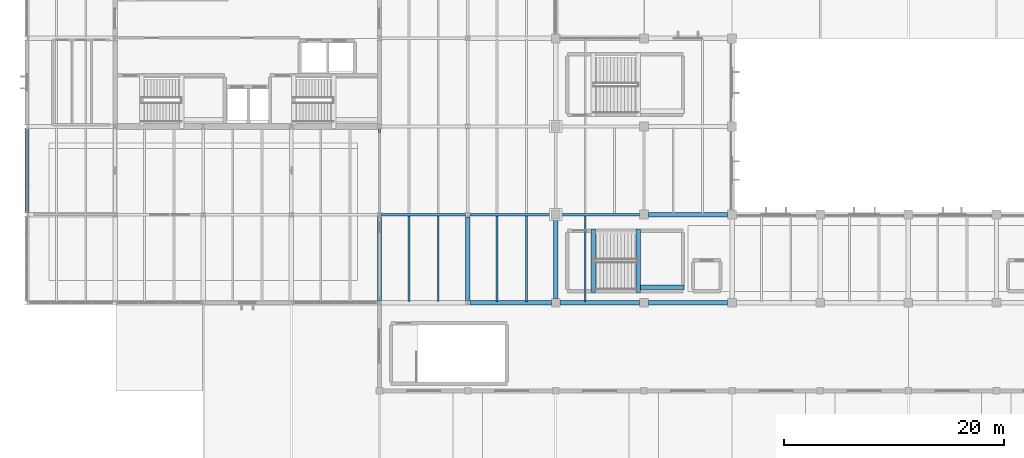
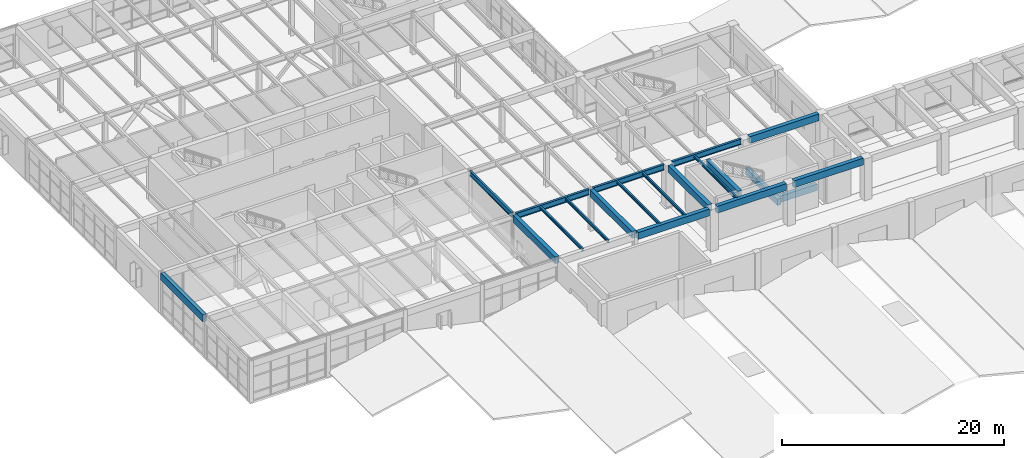
# One storey, part 12 of 60: 20 beams.
"""IFC4 building model written with IfcOpenShell, lengths in metres."""

from ifc_helpers import new_model, si_unit, direction, frame, origin, origin_2d, place, context, subcontext, project, spatial, rectangle, i_section, extrude, material, material_profile, profile_set, type_object, element, save


model = new_model("IFC4")

# Units and contexts
model_context = context("Model", 3, precision=1e-05, world=origin(), true_north=direction((0.0, 1.0)))
body_context = subcontext(model_context, "Body", "Model", "MODEL_VIEW")
ifc_project = project(units=[si_unit("LENGTHUNIT", "METRE"), si_unit("AREAUNIT", "SQUARE_METRE"), si_unit("VOLUMEUNIT", "CUBIC_METRE"), si_unit("PLANEANGLEUNIT", "RADIAN"), si_unit("MASSUNIT", "GRAM", prefix="KILO")], contexts=[model_context])

# Site, building, storey
site_placement = place(None, origin())
site = spatial("IfcSite", under=ifc_project, at=site_placement, CompositionType="ELEMENT")
building_placement = place(site_placement, origin())
building = spatial("IfcBuilding", under=site, at=building_placement, Name="Varnela Railside Interchange", CompositionType="ELEMENT")
storey_placement = place(building_placement, frame((0.0, 0.0, 6.300048828125)))
storey = spatial("IfcBuildingStorey", under=building, at=storey_placement, Name="L01", CompositionType="ELEMENT", Elevation=6.300048828125)

# Beams
ifc_material_1 = material(Name="Steel AR 350 (350 MPa)", Category="steel")
ifc_material_profile_1 = material_profile(ifc_material_1, i_section(OverallWidth=0.1650390625, OverallDepth=0.31005859375, WebThickness=0.005859375, FlangeThickness=0.009765625, at=origin_2d()), Name="W310x38.7")
ifc_profile_set_1 = profile_set([ifc_material_profile_1], Name="Steel AR 350 (350 MPa)")
beam_type_1 = type_object("IfcBeamType", Name="Composite Floor Joist J-04", PredefinedType="JOIST", material=ifc_profile_set_1)
for number, where, z_axis, x_axis, name in (
    (1, (38.669921875, 38.114501953125, 4.445068359375), (0.0, 1.0, 0.0), (-1.0, 0.0, 0.0), "Composite Floor Joist J-04 (L01) (BM-1568)"),
    (2, (41.330078125, 38.114501953125, 4.445068359375), (0.0, 1.0, 0.0), (-1.0, 0.0, 0.0), "Composite Floor Joist J-04 (L01) (BM-1569)"),
    (3, (46.669921875, 38.114501953125, 4.445068359375), (0.0, 1.0, 0.0), (-1.0, 0.0, 0.0), "Composite Floor Joist J-04 (L01) (BM-1581)"),
    (4, (49.330078125, 38.114501953125, 4.445068359375), (0.0, 1.0, 0.0), (-1.0, 0.0, 0.0), "Composite Floor Joist J-04 (L01) (BM-1582)"),
    (5, (54.669921875, 38.114501953125, 4.445068359375), (0.0, 1.0, 0.0), (-1.0, 0.0, 0.0), "Composite Floor Joist J-04 (L01) (BM-1592)"),
):
    element("IfcBeam", number, at=place(storey_placement, frame(where, z_axis=z_axis, x_axis=x_axis)), inside=storey, type_object=beam_type_1, Name=name, PredefinedType="JOIST", context=body_context, shape_type="SweptSolid", body=[
        extrude(i_section(OverallWidth=0.1650390625, OverallDepth=0.31005859375, WebThickness=0.005859375, FlangeThickness=0.009765625, at=origin_2d()), origin(), (0.0, 0.0, 1.0), 7.77099609375),
    ])
ifc_material_profile_2 = material_profile(ifc_material_1, i_section(OverallWidth=0.2119140625, OverallDepth=0.5439453125, WebThickness=0.01318359375, FlangeThickness=0.021240234375, at=origin_2d()), Name="W530x123")
ifc_profile_set_2 = profile_set([ifc_material_profile_2], Name="Steel AR 350 (350 MPa)")
beam_type_2 = type_object("IfcBeamType", Name="Composite Heavy Girder B-16", PredefinedType="BEAM", material=ifc_profile_set_2)
beam_1_placement = place(storey_placement, frame((36.0, 46.193603515625, 4.327880859375), z_axis=(0.0, 1.0, 0.0), x_axis=(-1.0, 0.0, 0.0)))
element("IfcBeam", 6, at=beam_1_placement, inside=storey, type_object=beam_type_2, Name="Composite Heavy Girder B-16 (L01) (BM-1766)", PredefinedType="BEAM", context=body_context, shape_type="SweptSolid", body=[
    extrude(i_section(OverallWidth=0.2119140625, OverallDepth=0.5439453125, WebThickness=0.01318359375, FlangeThickness=0.021240234375, at=origin_2d()), origin(), (0.0, 0.0, 1.0), 7.60693359375),
])
ifc_material_2 = material(Name="Concrete C40", Category="concrete")
ifc_material_profile_3 = material_profile(ifc_material_2, rectangle(XDim=0.39990234375, YDim=0.699951171875, at=origin_2d()), Name="RC 400x700")
ifc_profile_set_3 = profile_set([ifc_material_profile_3], Name="Concrete C40")
beam_type_3 = type_object("IfcBeamType", Name="Concrete Tie Beam B-01", PredefinedType="BEAM", material=ifc_profile_set_3)
for number, where, z_axis, x_axis, name in (
    (7, (55.39990234375, 38.919921875, 4.25), (0.0, 1.0, 0.0), (-1.0, 0.0, 0.0), "Concrete Tie Beam B-01 (L01) (BM-1814)"),
    (8, (59.4951171875, 38.919921875, 1.93994140625), (0.0, 1.0, 0.0), (-1.0, 0.0, 0.0), "Concrete Tie Beam B-01 (L01) (BM-1803)"),
):
    element("IfcBeam", number, at=place(storey_placement, frame(where, z_axis=z_axis, x_axis=x_axis)), inside=storey, type_object=beam_type_3, Name=name, PredefinedType="BEAM", context=body_context, shape_type="SweptSolid", body=[
        extrude(rectangle(XDim=0.39990234375, YDim=0.699951171875, at=origin_2d()), origin(), (0.0, 0.0, 1.0), 5.760009765625),
    ])
beam_2_placement = place(storey_placement, frame((59.695068359375, 39.39990234375, 1.93994140625), z_axis=(1.0, 0.0, 0.0), x_axis=(0.0, 1.0, 0.0)))
element("IfcBeam", 9, at=beam_2_placement, inside=storey, type_object=beam_type_3, Name="Concrete Tie Beam B-01 (L01) (BM-1792)", PredefinedType="BEAM", context=body_context, shape_type="SweptSolid", body=[
    extrude(rectangle(XDim=0.39990234375, YDim=0.699951171875, at=origin_2d()), origin(), (0.0, 0.0, 1.0), 3.925048828125),
])
ifc_material_profile_4 = material_profile(ifc_material_1, i_section(OverallWidth=0.22900390625, OverallDepth=0.612060546875, WebThickness=0.011962890625, FlangeThickness=0.01953125, at=origin_2d()), Name="W610x125")
ifc_profile_set_4 = profile_set([ifc_material_profile_4], Name="Steel AR 350 (350 MPa)")
beam_type_4 = type_object("IfcBeamType", Name="Podium Composite Girder B-15", PredefinedType="BEAM", material=ifc_profile_set_4)
beam_3_placement = place(storey_placement, frame((36.198974609375, 46.0, 4.2939453125), z_axis=(1.0, 0.0, 0.0), x_axis=(0.0, 1.0, 0.0)))
element("IfcBeam", 10, at=beam_3_placement, inside=storey, type_object=beam_type_4, Name="Podium Composite Girder B-15 (L01) (BM-1634)", PredefinedType="BEAM", context=body_context, shape_type="SweptSolid", body=[
    extrude(i_section(OverallWidth=0.22900390625, OverallDepth=0.612060546875, WebThickness=0.011962890625, FlangeThickness=0.01953125, at=origin_2d()), origin(), (0.0, 0.0, 1.0), 7.60205078125),
])
beam_4_placement = place(storey_placement, frame((44.198974609375, 46.0, 4.2939453125), z_axis=(1.0, 0.0, 0.0), x_axis=(0.0, 1.0, 0.0)))
element("IfcBeam", 11, at=beam_4_placement, inside=storey, type_object=beam_type_4, Name="Podium Composite Girder B-15 (L01) (BM-1635)", PredefinedType="BEAM", context=body_context, shape_type="SweptSolid", body=[
    extrude(i_section(OverallWidth=0.22900390625, OverallDepth=0.612060546875, WebThickness=0.011962890625, FlangeThickness=0.01953125, at=origin_2d()), origin(), (0.0, 0.0, 1.0), 7.401123046875),
])
beam_5_placement = place(storey_placement, frame((52.39990234375, 46.0, 4.2939453125), z_axis=(1.0, 0.0, 0.0), x_axis=(0.0, 1.0, 0.0)))
element("IfcBeam", 12, at=beam_5_placement, inside=storey, type_object=beam_type_4, Name="Podium Composite Girder B-15 (L01) (BM-1637)", PredefinedType="BEAM", context=body_context, shape_type="SweptSolid", body=[
    extrude(i_section(OverallWidth=0.22900390625, OverallDepth=0.612060546875, WebThickness=0.011962890625, FlangeThickness=0.01953125, at=origin_2d()), origin(), (0.0, 0.0, 1.0), 7.2001953125),
])
ifc_material_3 = material(Name="Concrete C40 precast", Category="concrete")
ifc_material_profile_5 = material_profile(ifc_material_3, rectangle(XDim=0.39990234375, YDim=0.75, at=origin_2d()), Name="PC 400x750")
ifc_profile_set_5 = profile_set([ifc_material_profile_5], Name="Concrete C40 precast")
beam_type_5 = type_object("IfcBeamType", Name="Precast Facade Spandrel SP-03", PredefinedType="SPANDREL", material=ifc_profile_set_5)
beam_6_placement = place(storey_placement, frame((44.198974609375, 38.0, 4.224853515625), z_axis=(1.0, 0.0, 0.0), x_axis=(0.0, 1.0, 0.0)))
element("IfcBeam", 13, at=beam_6_placement, inside=storey, type_object=beam_type_5, Name="Precast Facade Spandrel SP-03 (L01) (BM-1615)", PredefinedType="SPANDREL", context=body_context, shape_type="SweptSolid", body=[
    extrude(rectangle(XDim=0.39990234375, YDim=0.75, at=origin_2d()), origin(), (0.0, 0.0, 1.0), 7.401123046875),
])
for number, where, z_axis, x_axis, name in (
    (14, (52.39990234375, 38.0, 4.224853515625), (1.0, 0.0, 0.0), (0.0, 1.0, 0.0), "Precast Facade Spandrel SP-03 (L01) (BM-1617)"),
    (15, (60.39990234375, 38.0, 4.224853515625), (1.0, 0.0, 0.0), (0.0, 1.0, 0.0), "Precast Facade Spandrel SP-03 (L01) (BM-1618)"),
    (16, (60.39990234375, 46.0, 4.224853515625), (1.0, 0.0, 0.0), (0.0, 1.0, 0.0), "Precast Facade Spandrel SP-03 (L01) (BM-1638)"),
):
    element("IfcBeam", number, at=place(storey_placement, frame(where, z_axis=z_axis, x_axis=x_axis)), inside=storey, type_object=beam_type_5, Name=name, PredefinedType="SPANDREL", context=body_context, shape_type="SweptSolid", body=[
        extrude(rectangle(XDim=0.39990234375, YDim=0.75, at=origin_2d()), origin(), (0.0, 0.0, 1.0), 7.2001953125),
    ])
for number, where, z_axis, x_axis, name in (
    (17, (4.0, 46.193603515625, 4.224853515625), (0.0, 1.0, 0.0), (-1.0, 0.0, 0.0), "Precast Facade Spandrel SP-03 (L01) (BM-1739)"),
    (18, (36.0, 38.193603515625, 4.224853515625), (0.0, 1.0, 0.0), (-1.0, 0.0, 0.0), "Precast Facade Spandrel SP-03 (L01) (BM-1765)"),
    (19, (44.0, 38.193603515625, 4.224853515625), (0.0, 1.0, 0.0), (-1.0, 0.0, 0.0), "Precast Facade Spandrel SP-03 (L01) (BM-1770)"),
):
    element("IfcBeam", number, at=place(storey_placement, frame(where, z_axis=z_axis, x_axis=x_axis)), inside=storey, type_object=beam_type_5, Name=name, PredefinedType="SPANDREL", context=body_context, shape_type="SweptSolid", body=[
        extrude(rectangle(XDim=0.39990234375, YDim=0.75, at=origin_2d()), origin(), (0.0, 0.0, 1.0), 7.61279296875),
    ])
beam_7_placement = place(storey_placement, frame((52.0, 38.39990234375, 4.224853515625), z_axis=(0.0, 1.0, 0.0), x_axis=(-1.0, 0.0, 0.0)))
element("IfcBeam", 20, at=beam_7_placement, inside=storey, type_object=beam_type_5, Name="Precast Facade Spandrel SP-03 (L01) (BM-1776)", PredefinedType="SPANDREL", context=body_context, shape_type="SweptSolid", body=[
    extrude(rectangle(XDim=0.39990234375, YDim=0.75, at=origin_2d()), origin(), (0.0, 0.0, 1.0), 7.2001953125),
])

save(model, "model.ifc")
